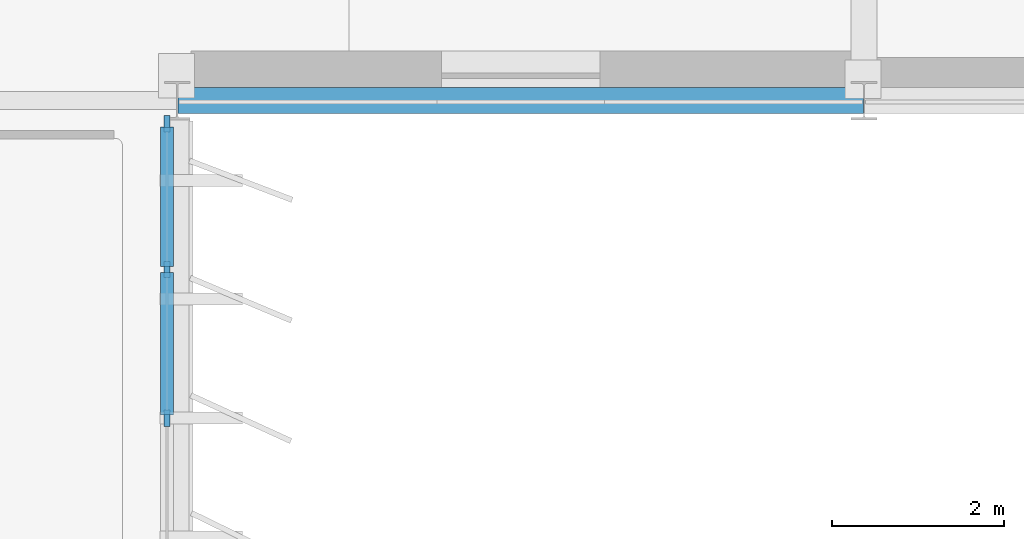
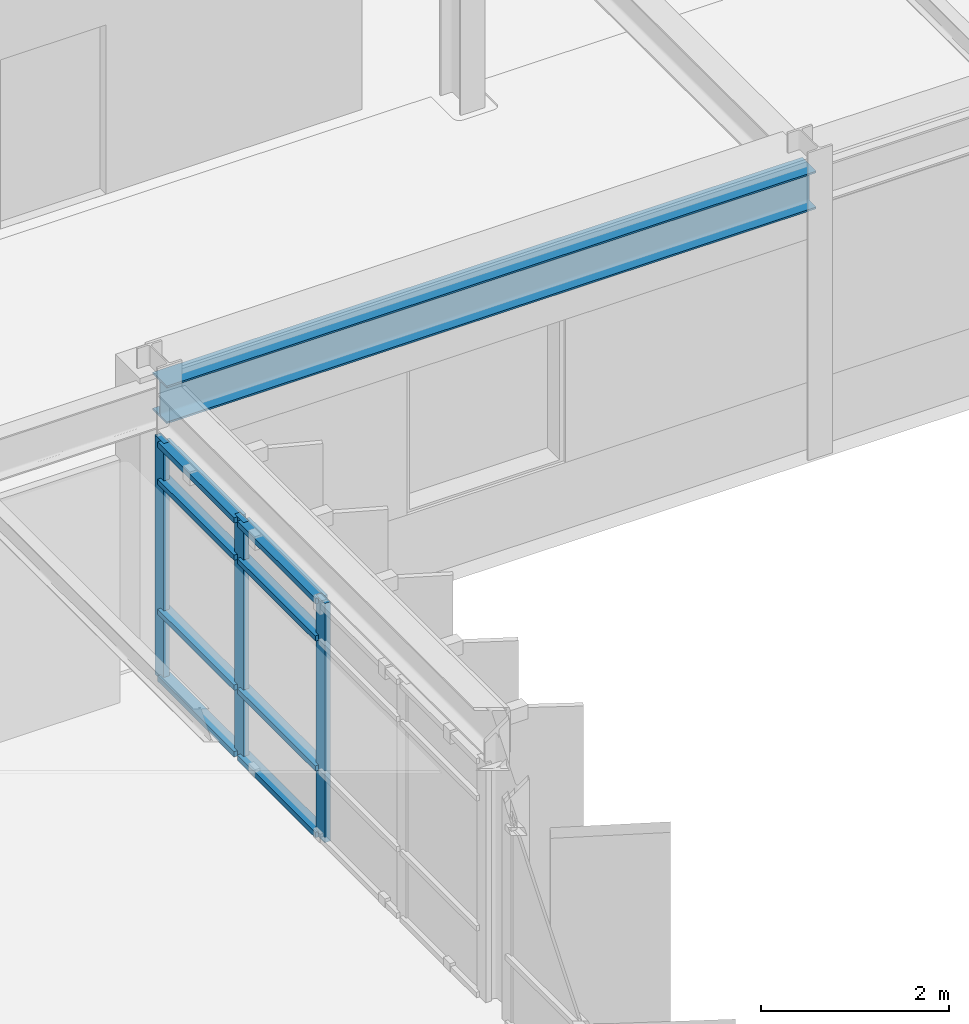
# One storey, part 25 of 56: 11 members, 1 beam, 1 element without a shape of its own.
"""IFC4 building model written with IfcOpenShell, lengths in metres."""

from ifc_helpers import new_model, si_unit, direction, frame, origin, origin_2d, place, context, subcontext, project, spatial, rectangle, i_section, extrude, material, layer, layer_set, material_profile, profile_set, type_object, element, aggregate, save


model = new_model("IFC4")

# Units and contexts
model_context = context("Model", 3, precision=1e-05, world=origin(), true_north=direction((0.0, 1.0)))
body_context = subcontext(model_context, "Body", "Model", "MODEL_VIEW")
ifc_project = project(units=[si_unit("LENGTHUNIT", "METRE"), si_unit("AREAUNIT", "SQUARE_METRE"), si_unit("VOLUMEUNIT", "CUBIC_METRE"), si_unit("PLANEANGLEUNIT", "RADIAN"), si_unit("MASSUNIT", "GRAM", prefix="KILO")], contexts=[model_context])

# Site, building, storey
site_placement = place(None, origin())
site = spatial("IfcSite", under=ifc_project, at=site_placement, CompositionType="ELEMENT")
building_placement = place(site_placement, origin())
building = spatial("IfcBuilding", under=site, at=building_placement, Name="Valkorina Park Police Headquarters", CompositionType="ELEMENT")
storey_placement = place(building_placement, frame((0.0, 0.0, 14.10009765625)))
storey = spatial("IfcBuildingStorey", under=building, at=storey_placement, Name="L04", CompositionType="ELEMENT", Elevation=14.10009765625)

# Beam
ifc_material_1 = material(Name="Steel S355", Category="steel")
ifc_material_profile_1 = material_profile(ifc_material_1, i_section(OverallWidth=0.300048828125, OverallDepth=0.489990234375, WebThickness=0.011962890625, FlangeThickness=0.02294921875, FilletRadius=0.027099609375, at=origin_2d()), Name="HEA 500")
ifc_profile_set_1 = profile_set([ifc_material_profile_1], Name="Steel S355")
beam_type = type_object("IfcBeamType", Name="BM-S355-HEA500-SPN", PredefinedType="SPANDREL", material=ifc_profile_set_1)
beam_placement = place(storey_placement, frame((120.806884765625, 59.199951171875, 3.4248046875), z_axis=(1.0, 0.0, 0.0), x_axis=(0.0, 1.0, 0.0)))
element("IfcBeam", 1, at=beam_placement, inside=storey, type_object=beam_type, Name="L04 Framing Beam 2264", PredefinedType="SPANDREL", context=body_context, shape_type="SweptSolid", body=[
    extrude(i_section(OverallWidth=0.300048828125, OverallDepth=0.489990234375, WebThickness=0.011962890625, FlangeThickness=0.02294921875, FilletRadius=0.027099609375, at=origin_2d()), origin(), (0.0, 0.0, 1.0), 7.986083984375),
])

# Curtain wall, members
ifc_material_2 = material(Name="Thermally broken aluminium AW-6060", Category="aluminium")
ifc_layer = layer(ifc_material_2, 0.18994140625)
ifc_layer_set = layer_set([ifc_layer], Name="Thermally broken aluminium AW-6060")
curtain_wall_type = type_object("IfcCurtainWallType", Name="CW-V5-6930x3110", PredefinedType="NOTDEFINED", material=ifc_layer_set)
curtain_wall_placement = place(storey_placement, origin())
curtain_wall = element("IfcCurtainWall", 2, at=curtain_wall_placement, inside=storey, type_object=curtain_wall_type, Name="L04 Unitised Curtain Wall 040", PredefinedType="NOTDEFINED")
ifc_material_profile_2 = material_profile(ifc_material_2, rectangle(XDim=0.070068359375, YDim=0.18994140625, at=origin_2d()), Name="CWM-02 70x190")
ifc_profile_set_2 = profile_set([ifc_material_profile_2], Name="Thermally broken aluminium AW-6060")
member_type_1 = type_object("IfcMemberType", Name="CWM-70x190", PredefinedType="MULLION", material=ifc_profile_set_2)
member_1_placement = place(storey_placement, frame((120.679931640625, 58.929931640625, 0.0), z_axis=(0.0, 0.0, 1.0), x_axis=(1.0, 0.0, 0.0)))
member_1 = element("IfcMember", 3, at=member_1_placement, type_object=member_type_1, Name="CW-V5-693-311 mullion 1", PredefinedType="MULLION", context=body_context, shape_type="SweptSolid", body=[
    extrude(rectangle(XDim=0.070068359375, YDim=0.18994140625, at=origin_2d()), origin(), (0.0, 0.0, 1.0), 3.10986328125),
])
member_2_placement = place(storey_placement, frame((120.679931640625, 57.232421875, 0.0), z_axis=(0.0, 0.0, 1.0), x_axis=(1.0, 0.0, 0.0)))
member_2 = element("IfcMember", 4, at=member_2_placement, type_object=member_type_1, Name="CW-V5-693-311 mullion 2", PredefinedType="MULLION", context=body_context, shape_type="SweptSolid", body=[
    extrude(rectangle(XDim=0.070068359375, YDim=0.18994140625, at=origin_2d()), origin(), (0.0, 0.0, 1.0), 3.10986328125),
])
member_3_placement = place(storey_placement, frame((120.679931640625, 55.5, 0.0), z_axis=(0.0, 0.0, 1.0), x_axis=(1.0, 0.0, 0.0)))
member_3 = element("IfcMember", 5, at=member_3_placement, type_object=member_type_1, Name="CW-V5-693-311 mullion 3", PredefinedType="MULLION", context=body_context, shape_type="SweptSolid", body=[
    extrude(rectangle(XDim=0.070068359375, YDim=0.18994140625, at=origin_2d()), origin(), (0.0, 0.0, 1.0), 3.10986328125),
])
ifc_material_profile_3 = material_profile(ifc_material_2, rectangle(XDim=0.14990234375, YDim=0.070068359375, at=origin_2d()), Name="CWT-02 150x70")
ifc_profile_set_3 = profile_set([ifc_material_profile_3], Name="Thermally broken aluminium AW-6060")
member_type_2 = type_object("IfcMemberType", Name="CWT-150x70", PredefinedType="USERDEFINED", material=ifc_profile_set_3)
member_4_placement = place(storey_placement, frame((120.679931640625, 58.89501953125, 0.034912109375), z_axis=(0.0, -1.0, 0.0), x_axis=(1.0, 0.0, 0.0)))
member_4 = element("IfcMember", 6, at=member_4_placement, type_object=member_type_2, Name="CW-V5-693-311 transom 1.1", ObjectType="TRANSOM", PredefinedType="USERDEFINED", context=body_context, shape_type="SweptSolid", body=[
    extrude(rectangle(XDim=0.14990234375, YDim=0.070068359375, at=origin_2d()), origin(), (0.0, 0.0, 1.0), 1.62744140625),
])
member_5_placement = place(storey_placement, frame((120.679931640625, 58.89501953125, 0.89990234375), z_axis=(0.0, -1.0, 0.0), x_axis=(1.0, 0.0, 0.0)))
member_5 = element("IfcMember", 7, at=member_5_placement, type_object=member_type_2, Name="CW-V5-693-311 transom 1.2", ObjectType="TRANSOM", PredefinedType="USERDEFINED", context=body_context, shape_type="SweptSolid", body=[
    extrude(rectangle(XDim=0.14990234375, YDim=0.070068359375, at=origin_2d()), origin(), (0.0, 0.0, 1.0), 1.62744140625),
])
member_6_placement = place(storey_placement, frame((120.679931640625, 58.89501953125, 2.58984375), z_axis=(0.0, -1.0, 0.0), x_axis=(1.0, 0.0, 0.0)))
member_6 = element("IfcMember", 8, at=member_6_placement, type_object=member_type_2, Name="CW-V5-693-311 transom 1.3", ObjectType="TRANSOM", PredefinedType="USERDEFINED", context=body_context, shape_type="SweptSolid", body=[
    extrude(rectangle(XDim=0.14990234375, YDim=0.070068359375, at=origin_2d()), origin(), (0.0, 0.0, 1.0), 1.62744140625),
])
member_7_placement = place(storey_placement, frame((120.679931640625, 58.89501953125, 3.074951171875), z_axis=(0.0, -1.0, 0.0), x_axis=(1.0, 0.0, 0.0)))
member_7 = element("IfcMember", 9, at=member_7_placement, type_object=member_type_2, Name="CW-V5-693-311 transom 1.4", ObjectType="TRANSOM", PredefinedType="USERDEFINED", context=body_context, shape_type="SweptSolid", body=[
    extrude(rectangle(XDim=0.14990234375, YDim=0.070068359375, at=origin_2d()), origin(), (0.0, 0.0, 1.0), 1.62744140625),
])
member_8_placement = place(storey_placement, frame((120.679931640625, 57.197509765625, 0.034912109375), z_axis=(0.0, -1.0, 0.0), x_axis=(1.0, 0.0, 0.0)))
member_8 = element("IfcMember", 10, at=member_8_placement, type_object=member_type_2, Name="CW-V5-693-311 transom 2.1", ObjectType="TRANSOM", PredefinedType="USERDEFINED", context=body_context, shape_type="SweptSolid", body=[
    extrude(rectangle(XDim=0.14990234375, YDim=0.070068359375, at=origin_2d()), origin(), (0.0, 0.0, 1.0), 1.66259765625),
])
member_9_placement = place(storey_placement, frame((120.679931640625, 57.197509765625, 0.89990234375), z_axis=(0.0, -1.0, 0.0), x_axis=(1.0, 0.0, 0.0)))
member_9 = element("IfcMember", 11, at=member_9_placement, type_object=member_type_2, Name="CW-V5-693-311 transom 2.2", ObjectType="TRANSOM", PredefinedType="USERDEFINED", context=body_context, shape_type="SweptSolid", body=[
    extrude(rectangle(XDim=0.14990234375, YDim=0.070068359375, at=origin_2d()), origin(), (0.0, 0.0, 1.0), 1.66259765625),
])
member_10_placement = place(storey_placement, frame((120.679931640625, 57.197509765625, 2.58984375), z_axis=(0.0, -1.0, 0.0), x_axis=(1.0, 0.0, 0.0)))
member_10 = element("IfcMember", 12, at=member_10_placement, type_object=member_type_2, Name="CW-V5-693-311 transom 2.3", ObjectType="TRANSOM", PredefinedType="USERDEFINED", context=body_context, shape_type="SweptSolid", body=[
    extrude(rectangle(XDim=0.14990234375, YDim=0.070068359375, at=origin_2d()), origin(), (0.0, 0.0, 1.0), 1.66259765625),
])
member_11_placement = place(storey_placement, frame((120.679931640625, 57.197509765625, 3.074951171875), z_axis=(0.0, -1.0, 0.0), x_axis=(1.0, 0.0, 0.0)))
member_11 = element("IfcMember", 13, at=member_11_placement, type_object=member_type_2, Name="CW-V5-693-311 transom 2.4", ObjectType="TRANSOM", PredefinedType="USERDEFINED", context=body_context, shape_type="SweptSolid", body=[
    extrude(rectangle(XDim=0.14990234375, YDim=0.070068359375, at=origin_2d()), origin(), (0.0, 0.0, 1.0), 1.66259765625),
])
aggregate(curtain_wall, [member_1, member_2, member_3, member_4, member_5, member_6, member_7, member_8, member_9, member_10, member_11])

save(model, "model.ifc")
